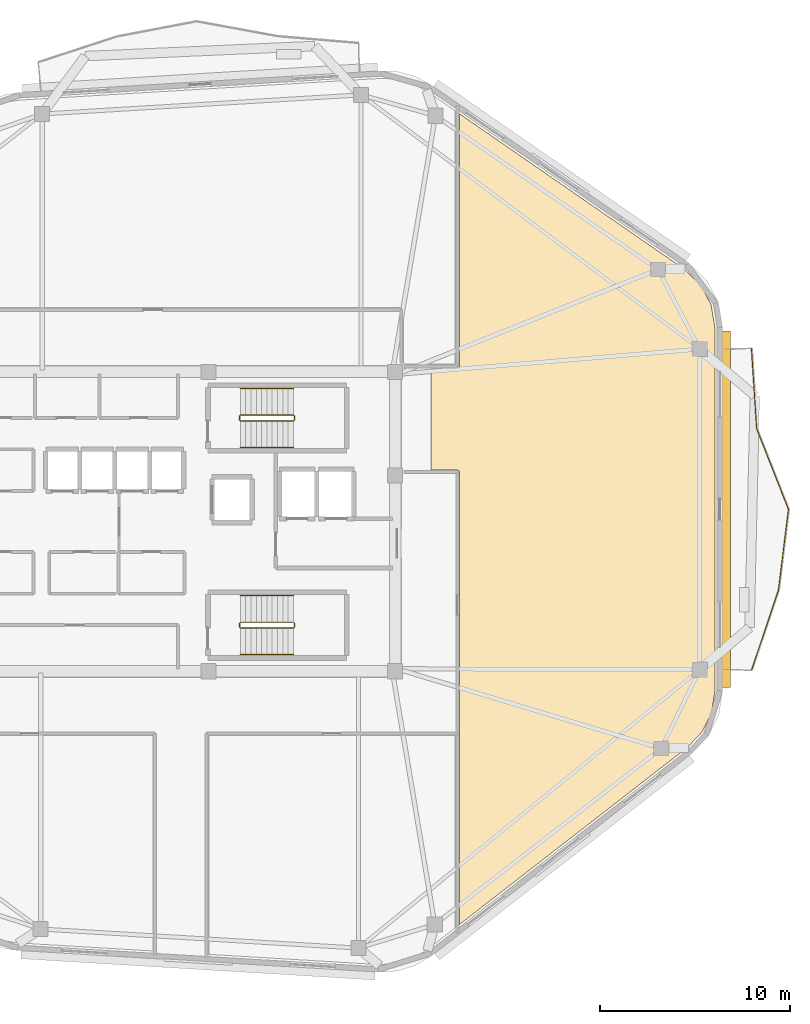
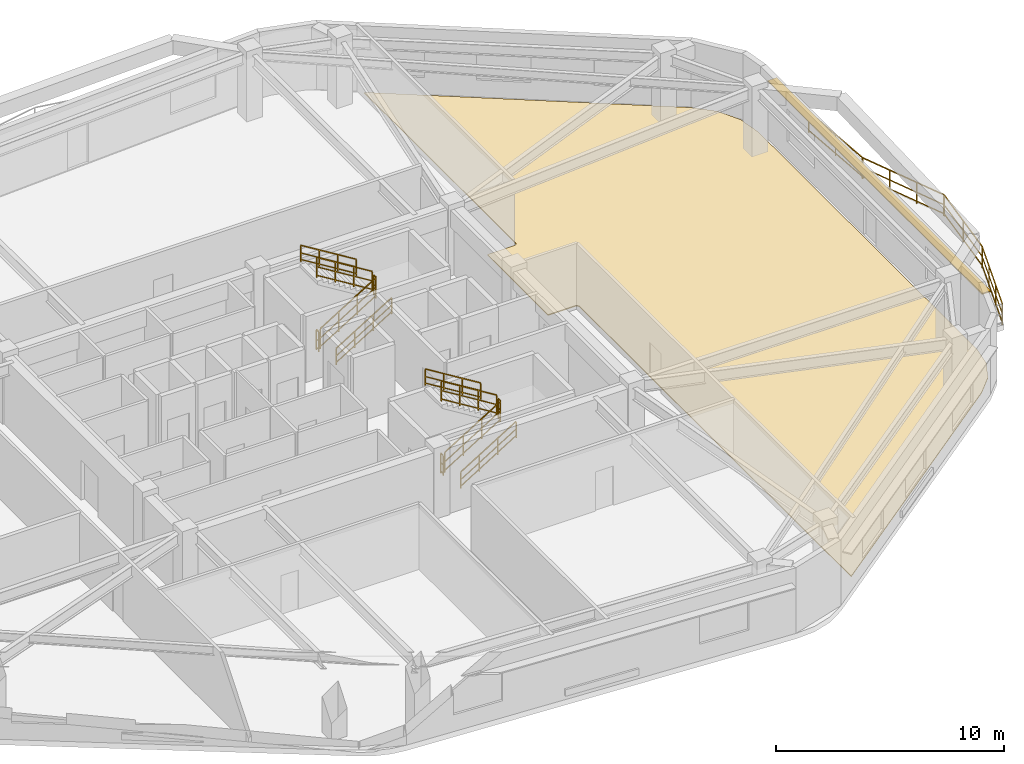
# One storey, part 8 of 9: 16 railings, 1 covering, 1 shading device.
"""IFC4 building model written with IfcOpenShell, lengths in metres."""

import ifcopenshell
import ifcopenshell.guid

model = None  # the IFC model being written
_history = None  # IfcOwnerHistory: only IFC2X3 demands one
_inside = {}  # id of a spatial element -> (the spatial element, [elements in it])
_under = {}  # id of a project, library or spatial element -> (it, [spatial elements below it])
_declared = {}  # id of a project -> (the project, [libraries it declares])
_typed = {}  # id of a type object -> (the type object, [elements of that type])
_made_of = {}  # id of a material, layer set ... -> (it, [elements and type objects made of it])


def new_model(schema):
    """Start an empty IFC model of exactly this schema.

    Asked for "IFC4X3", IfcOpenShell would pick the latest addendum, in which some entities
    have other attributes; the version numbers below select the first issue.
    IFC2X3 requires an IfcOwnerHistory on every rooted entity: one is made here for all.
    """
    global model, _history
    if schema == "IFC4X3":
        model = ifcopenshell.file(schema_version=(4, 3, 0, 0))
    else:
        model = ifcopenshell.file(schema=schema)
    _inside.clear()
    _under.clear()
    _declared.clear()
    _typed.clear()
    _made_of.clear()
    _history = None
    if model.schema == "IFC2X3":
        org = make("IfcOrganization", Name="unknown")
        user = make(
            "IfcPersonAndOrganization",
            ThePerson=make("IfcPerson", FamilyName="unknown"),
            TheOrganization=org,
        )
        app = make(
            "IfcApplication",
            ApplicationDeveloper=org,
            Version="unknown",
            ApplicationFullName="unknown",
            ApplicationIdentifier="unknown",
        )
        _history = make(
            "IfcOwnerHistory",
            OwningUser=user,
            OwningApplication=app,
            ChangeAction="ADDED",
            CreationDate=0,
        )
    return model


def make(cls, **values):
    """One entity of the class cls with the attributes given. An attribute that is None is left unset."""
    return model.create_entity(
        cls, **{name: value for name, value in values.items() if value is not None}
    )


def rooted(cls, **values):
    """An entity with a GlobalId (a new one), such as an element, a storey or a relation."""
    return make(cls, GlobalId=ifcopenshell.guid.new(), OwnerHistory=_history, **values)


def si_unit(unit_type, name, prefix=None):
    """IfcSIUnit, for example si_unit("LENGTHUNIT", "METRE", prefix="MILLI")."""
    return make("IfcSIUnit", UnitType=unit_type, Prefix=prefix, Name=name)


def assignment(units):
    """IfcUnitAssignment: the units of a project."""
    return None if units is None else make("IfcUnitAssignment", Units=units)


def point(xyz):
    """IfcCartesianPoint."""
    return None if xyz is None else make("IfcCartesianPoint", Coordinates=xyz)


def direction(xyz):
    """IfcDirection."""
    return None if xyz is None else make("IfcDirection", DirectionRatios=xyz)


def frame(location, z_axis=None, x_axis=None):
    """IfcAxis2Placement3D, a coordinate frame: its origin and axes. An axis left out is left unset."""
    return make(
        "IfcAxis2Placement3D",
        Location=point(location),
        Axis=direction(z_axis),
        RefDirection=direction(x_axis),
    )


def frame_2d(location, x_axis=None):
    """IfcAxis2Placement2D, a coordinate frame in the plane: its origin and x axis."""
    return make(
        "IfcAxis2Placement2D", Location=point(location), RefDirection=direction(x_axis)
    )


def origin():
    """The frame at (0, 0, 0) with its axes left unset."""
    return frame((0.0, 0.0, 0.0))


def origin_2d():
    """The frame at (0, 0) in the plane with its x axis left unset."""
    return frame_2d((0.0, 0.0))


def place(relative_to, where):
    """IfcLocalPlacement: puts the frame where relative to a parent placement (None: the world)."""
    return make(
        "IfcLocalPlacement", PlacementRelTo=relative_to, RelativePlacement=where
    )


def context(
    kind, dimensions, precision=None, world=None, true_north=None, identifier=None
):
    """IfcGeometricRepresentationContext, for example the 3D "Model" context."""
    return make(
        "IfcGeometricRepresentationContext",
        ContextIdentifier=identifier,
        ContextType=kind,
        CoordinateSpaceDimension=dimensions,
        Precision=precision,
        WorldCoordinateSystem=world,
        TrueNorth=true_north,
    )


def subcontext(parent, identifier, kind, view, scale=None):
    """IfcGeometricRepresentationSubContext, for example "Body" below "Model"."""
    return make(
        "IfcGeometricRepresentationSubContext",
        ContextIdentifier=identifier,
        ContextType=kind,
        ParentContext=parent,
        TargetScale=scale,
        TargetView=view,
    )


def project(units=None, contexts=None):
    """IfcProject with its units and contexts."""
    return rooted(
        "IfcProject",
        Name="project",
        RepresentationContexts=contexts,
        UnitsInContext=assignment(units),
    )


def spatial(cls, under=None, at=None, **own):
    """A site, building, storey or space (cls), placed at a placement, below another one or the project."""
    s = rooted(cls, ObjectPlacement=at, **own)
    if under is not None:
        _under.setdefault(under.id(), (under, []))[1].append(s)
    return s


def polyline(points):
    """IfcPolyline through the points."""
    return make("IfcPolyline", Points=[point(p) for p in points])


def profile(cls, at=None, kind="AREA", **sizes):
    """A parametric profile (cls). Its sizes go by their IFC names, for example OverallWidth=200.0."""
    return make(cls, ProfileType=kind, Position=at, **sizes)


def rectangle(**sizes):
    """IfcRectangleProfileDef."""
    return profile("IfcRectangleProfileDef", **sizes)


def outline(outer, holes=None, kind="AREA"):
    """IfcArbitraryClosedProfileDef: a profile drawn as a closed curve; with holes, ...WithVoids."""
    if holes is None:
        return make("IfcArbitraryClosedProfileDef", ProfileType=kind, OuterCurve=outer)
    return make(
        "IfcArbitraryProfileDefWithVoids",
        ProfileType=kind,
        OuterCurve=outer,
        InnerCurves=holes,
    )


def extrude(swept, where, along, depth):
    """IfcExtrudedAreaSolid: the profile swept, set in the frame where, extruded along a direction by depth."""
    return make(
        "IfcExtrudedAreaSolid",
        SweptArea=swept,
        Position=where,
        ExtrudedDirection=direction(along),
        Depth=depth,
    )


def shape(context_of_items, identifier, shape_type, items):
    """IfcShapeRepresentation: the items that make up one representation, for example the "Body"."""
    return make(
        "IfcShapeRepresentation",
        ContextOfItems=context_of_items,
        RepresentationIdentifier=identifier,
        RepresentationType=shape_type,
        Items=items,
    )


def material(Name=None, Category=None):
    """IfcMaterial."""
    return make("IfcMaterial", Name=Name, Category=Category)


def layer(
    of_material, thickness, ventilated=None, Name=None, Category=None, Priority=None
):
    """IfcMaterialLayer: one layer of a wall or slab, of a material (None: an air gap)."""
    return make(
        "IfcMaterialLayer",
        Material=of_material,
        LayerThickness=thickness,
        IsVentilated=ventilated,
        Name=Name,
        Category=Category,
        Priority=Priority,
    )


def layer_set(layers, Name=None):
    """IfcMaterialLayerSet."""
    return make("IfcMaterialLayerSet", MaterialLayers=layers, LayerSetName=Name)


def made_of(thing, what):
    """Note that an element or type object is made of a material, layer set ...; save() writes the relation."""
    if what is not None:
        _made_of.setdefault(what.id(), (what, []))[1].append(thing)
    return thing


def type_object(cls, material=None, **own):
    """A type object (cls), such as IfcWallType, which elements share."""
    return made_of(rooted(cls, **own), material)


def element(
    cls,
    number,
    at=None,
    inside=None,
    cuts=None,
    type_object=None,
    material=None,
    context=None,
    identifier="Body",
    shape_type=None,
    held_by="IfcProductDefinitionShape",
    body=None,
    shapes=None,
    **own,
):
    """One element of the class cls, such as IfcWall. Its Tag is "e" and its number.

    at: its placement. inside: the storey or other place that contains it. cuts: it is an
    opening in that element (IfcRelVoidsElement). A single representation is given by context,
    identifier, shape_type and body (its items); several are given by shapes. held_by: the class
    of the entity that holds the representations. save() writes the other relations.
    """
    e = rooted(cls, Tag="e%d" % number, ObjectPlacement=at, **own)
    if body is not None:
        shapes = [shape(context, identifier, shape_type, body)]
    if shapes is not None:
        e.Representation = make(held_by, Representations=shapes)
    if inside is not None:
        _inside.setdefault(inside.id(), (inside, []))[1].append(e)
    if cuts is not None:
        rooted(
            "IfcRelVoidsElement", RelatingBuildingElement=cuts, RelatedOpeningElement=e
        )
    if type_object is not None:
        _typed.setdefault(type_object.id(), (type_object, []))[1].append(e)
    return made_of(e, material)


def aggregate(whole, parts):
    """IfcRelAggregates: a whole, such as a stair, and the parts it consists of."""
    return rooted("IfcRelAggregates", RelatingObject=whole, RelatedObjects=parts)


def save(model, path):
    """Write the relations noted so far, then the file.

    IfcRelAggregates (storeys below a building ...), IfcRelContainedInSpatialStructure (elements
    in a storey), IfcRelDefinesByType, IfcRelAssociatesMaterial and IfcRelDeclares: one each for
    every whole, place, type object, material and project.
    """
    for whole, parts in _under.values():
        aggregate(whole, parts)
    for where, things in _inside.values():
        rooted(
            "IfcRelContainedInSpatialStructure",
            RelatedElements=things,
            RelatingStructure=where,
        )
    for kind, things in _typed.values():
        rooted("IfcRelDefinesByType", RelatedObjects=things, RelatingType=kind)
    for what, things in _made_of.values():
        rooted("IfcRelAssociatesMaterial", RelatedObjects=things, RelatingMaterial=what)
    for by, libraries in _declared.values():
        rooted("IfcRelDeclares", RelatingContext=by, RelatedDefinitions=libraries)
    model.write(path)


model = new_model("IFC4")

# Units and contexts
model_context = context("Model", 3, precision=1e-05, world=origin(), true_north=direction((0.0, 1.0)))
body_context = subcontext(model_context, "Body", "Model", "MODEL_VIEW")
ifc_project = project(units=[si_unit("LENGTHUNIT", "METRE"), si_unit("AREAUNIT", "SQUARE_METRE"), si_unit("VOLUMEUNIT", "CUBIC_METRE"), si_unit("PLANEANGLEUNIT", "RADIAN"), si_unit("MASSUNIT", "GRAM", prefix="KILO")], contexts=[model_context])

# Site, building, storey
site_placement = place(None, origin())
site = spatial("IfcSite", under=ifc_project, at=site_placement, CompositionType="ELEMENT")
building_placement = place(site_placement, origin())
building = spatial("IfcBuilding", under=site, at=building_placement, Name="Zulverin Broadcast Headquarters", CompositionType="ELEMENT")
storey_placement = place(building_placement, frame((0.0, 0.0, 251.60009765625)))
storey = spatial("IfcBuildingStorey", under=building, at=storey_placement, Name="L64", CompositionType="ELEMENT", Elevation=251.60009765625)

# Covering
ifc_material_1 = material(Name="Anti-static broadcast raised access flooring", Category="stone")
ifc_layer_1 = layer(ifc_material_1, 0.050048828125, Name="Anti-static broadcast raised access flooring", Category="stone")
ifc_layer_set_1 = layer_set([ifc_layer_1], Name="Anti-static broadcast raised access flooring")
covering_type = type_object("IfcCoveringType", Name="COV-FLR-RAISED", PredefinedType="FLOORING", material=ifc_layer_set_1)
covering_placement = place(storey_placement, origin())
element("IfcCovering", 1, at=covering_placement, inside=storey, type_object=covering_type, Name="L64 Broadcast Raised Access Flooring 02", PredefinedType="FLOORING", context=body_context, shape_type="SweptSolid", body=[
    extrude(outline(polyline([(51.60400390625, 33.260009765625), (51.592041015625, 33.251953125), (51.583984375, 33.248046875), (51.575927734375, 33.243896484375), (51.568115234375, 33.239990234375), (51.555908203125, 33.236083984375), (51.548095703125, 33.236083984375), (51.535888671875, 33.23193359375), (51.52392578125, 33.23193359375), (50.156005859375, 33.23193359375), (50.156005859375, 27.919921875), (51.52001953125, 27.919921875), (51.531982421875, 27.919921875), (51.5439453125, 27.916015625), (51.552001953125, 27.916015625), (51.56396484375, 27.912109375), (51.572021484375, 27.907958984375), (51.580078125, 27.904052734375), (51.587890625, 27.89990234375), (51.60009765625, 27.89208984375), (51.60791015625, 27.887939453125), (51.615966796875, 27.8798828125), (51.6240234375, 27.8720703125), (51.632080078125, 27.864013671875), (51.635986328125, 27.85595703125), (51.64794921875, 27.843994140625), (51.652099609375, 27.83203125), (51.659912109375, 27.820068359375), (51.6640625, 27.81201171875), (51.6640625, 27.800048828125), (51.66796875, 27.7919921875), (51.66796875, 27.783935546875), (51.672119140625, 27.77197265625), (51.672119140625, 27.760009765625), (51.672119140625, 4.008056640625), (63.64794921875, 13.31591796875), (64.43603515625, 14.14794921875), (64.927978515625, 15.152099609375), (65.10009765625, 16.2880859375), (65.10009765625, 35.39599609375), (64.904052734375, 36.592041015625), (64.35595703125, 37.64404296875), (63.47607421875, 38.488037109375), (51.66796875, 46.64794921875), (51.672119140625, 33.39208984375), (51.672119140625, 33.3798828125), (51.66796875, 33.367919921875), (51.66796875, 33.360107421875), (51.6640625, 33.35205078125), (51.6640625, 33.343994140625), (51.659912109375, 33.33203125), (51.656005859375, 33.323974609375), (51.652099609375, 33.31591796875), (51.64794921875, 33.30810546875), (51.639892578125, 33.2958984375), (51.635986328125, 33.2880859375), (51.6279296875, 33.280029296875), (51.6201171875, 33.27197265625), (51.612060546875, 33.263916015625), (51.60400390625, 33.260009765625)])), origin(), (0.0, 0.0, 1.0), 0.0498046875),
])

# Railings
ifc_material_2 = material(Name="Brushed stainless steel & laminated glass balustrade", Category="steel")
railing_type_1 = type_object("IfcRailingType", Name="RL-GUARD-1150", PredefinedType="GUARDRAIL", material=ifc_material_2)
railing_1_placement = place(storey_placement, frame((67.02490234375, 17.371826171875, 0.0)))
element("IfcRailing", 2, at=railing_1_placement, inside=storey, type_object=railing_type_1, Name="L64 Vertical-Forest Balcony Guardrail BAL_E Segment 02", PredefinedType="GUARDRAIL", context=body_context, shape_type="SweptSolid", body=[
    extrude(rectangle(XDim=0.048095703125, YDim=0.048095703125, at=origin_2d()), frame((0.0, 0.0, 1.1259765625), z_axis=(0.318204528211, 0.948022087415, 0.0), x_axis=(-0.948022087415, 0.318204528211, 0.0)), (0.0, 0.0, 1.0), 4.444580078125),
    extrude(rectangle(XDim=0.0419921875, YDim=0.0419921875, at=origin_2d()), frame((0.0, 0.0, 0.597900390625), z_axis=(0.318204528211, 0.948022087415, 0.0), x_axis=(-0.948022087415, 0.318204528211, 0.0)), (0.0, 0.0, 1.0), 4.444580078125),
    extrude(rectangle(XDim=0.0419921875, YDim=0.0419921875, at=origin_2d()), frame((0.0, 0.0, 0.1201171875), z_axis=(0.318204528211, 0.948022087415, 0.0), x_axis=(-0.948022087415, 0.318204528211, 0.0)), (0.0, 0.0, 1.0), 4.444580078125),
    extrude(rectangle(XDim=0.0419921875, YDim=0.0419921875, at=origin_2d()), origin(), (0.0, 0.0, 1.0), 1.101806640625),
    extrude(rectangle(XDim=0.0419921875, YDim=0.0419921875, at=origin_2d()), frame((0.471435546875, 1.404541015625, 0.0)), (0.0, 0.0, 1.0), 1.101806640625),
    extrude(rectangle(XDim=0.0419921875, YDim=0.0419921875, at=origin_2d()), frame((0.94287109375, 2.80908203125, 0.0)), (0.0, 0.0, 1.0), 1.101806640625),
    extrude(rectangle(XDim=0.0419921875, YDim=0.0419921875, at=origin_2d()), frame((1.414306640625, 4.213623046875, 0.0)), (0.0, 0.0, 1.0), 1.101806640625),
])
railing_2_placement = place(storey_placement, frame((68.44580078125, 21.614501953125, 0.0)))
element("IfcRailing", 3, at=railing_2_placement, inside=storey, type_object=railing_type_1, Name="L64 Vertical-Forest Balcony Guardrail BAL_E Segment 03", PredefinedType="GUARDRAIL", context=body_context, shape_type="SweptSolid", body=[
    extrude(rectangle(XDim=0.048095703125, YDim=0.048095703125, at=origin_2d()), frame((0.0, 0.0, 1.1259765625), z_axis=(0.123086092071, 0.992395996535, 0.0), x_axis=(-0.992395996535, 0.123086092071, 0.0)), (0.0, 0.0, 1.0), 4.24462890625),
    extrude(rectangle(XDim=0.0419921875, YDim=0.0419921875, at=origin_2d()), frame((0.0, 0.0, 0.597900390625), z_axis=(0.123086092071, 0.992395996535, 0.0), x_axis=(-0.992395996535, 0.123086092071, 0.0)), (0.0, 0.0, 1.0), 4.24462890625),
    extrude(rectangle(XDim=0.0419921875, YDim=0.0419921875, at=origin_2d()), frame((0.0, 0.0, 0.1201171875), z_axis=(0.123086092071, 0.992395996535, 0.0), x_axis=(-0.992395996535, 0.123086092071, 0.0)), (0.0, 0.0, 1.0), 4.24462890625),
    extrude(rectangle(XDim=0.0419921875, YDim=0.0419921875, at=origin_2d()), origin(), (0.0, 0.0, 1.0), 1.101806640625),
    extrude(rectangle(XDim=0.0419921875, YDim=0.0419921875, at=origin_2d()), frame((0.26123046875, 2.106201171875, 0.0)), (0.0, 0.0, 1.0), 1.101806640625),
    extrude(rectangle(XDim=0.0419921875, YDim=0.0419921875, at=origin_2d()), frame((0.5224609375, 4.21240234375, 0.0)), (0.0, 0.0, 1.0), 1.101806640625),
])
railing_3_placement = place(storey_placement, frame((68.964599609375, 25.855712890625, 0.0)))
element("IfcRailing", 4, at=railing_3_placement, inside=storey, type_object=railing_type_1, Name="L64 Vertical-Forest Balcony Guardrail BAL_E Segment 04", PredefinedType="GUARDRAIL", context=body_context, shape_type="SweptSolid", body=[
    extrude(rectangle(XDim=0.048095703125, YDim=0.048095703125, at=origin_2d()), frame((0.0, 0.0, 1.1259765625), z_axis=(-0.36683272189, 0.930286920337, 0.0), x_axis=(-0.930286920337, -0.36683272189, 0.0)), (0.0, 0.0, 1.0), 4.529541015625),
    extrude(rectangle(XDim=0.0419921875, YDim=0.0419921875, at=origin_2d()), frame((0.0, 0.0, 0.597900390625), z_axis=(-0.36683272189, 0.930286920337, 0.0), x_axis=(-0.930286920337, -0.36683272189, 0.0)), (0.0, 0.0, 1.0), 4.529541015625),
    extrude(rectangle(XDim=0.0419921875, YDim=0.0419921875, at=origin_2d()), frame((0.0, 0.0, 0.1201171875), z_axis=(-0.36683272189, 0.930286920337, 0.0), x_axis=(-0.930286920337, -0.36683272189, 0.0)), (0.0, 0.0, 1.0), 4.529541015625),
    extrude(rectangle(XDim=0.0419921875, YDim=0.0419921875, at=origin_2d()), origin(), (0.0, 0.0, 1.0), 1.101806640625),
    extrude(rectangle(XDim=0.0419921875, YDim=0.0419921875, at=origin_2d()), frame((-0.553955078125, 1.404541015625, 0.0)), (0.0, 0.0, 1.0), 1.101806640625),
    extrude(rectangle(XDim=0.0419921875, YDim=0.0419921875, at=origin_2d()), frame((-1.107666015625, 2.809326171875, 0.0)), (0.0, 0.0, 1.0), 1.101806640625),
    extrude(rectangle(XDim=0.0419921875, YDim=0.0419921875, at=origin_2d()), frame((-1.66162109375, 4.2138671875, 0.0)), (0.0, 0.0, 1.0), 1.101806640625),
])
railing_4_placement = place(storey_placement, frame((67.29638671875, 30.0986328125, 0.0)))
element("IfcRailing", 5, at=railing_4_placement, inside=storey, type_object=railing_type_1, Name="L64 Vertical-Forest Balcony Guardrail BAL_E Segment 05", PredefinedType="GUARDRAIL", context=body_context, shape_type="SweptSolid", body=[
    extrude(rectangle(XDim=0.048095703125, YDim=0.048095703125, at=origin_2d()), frame((0.0, 0.0, 1.1259765625), z_axis=(-0.065240645877, 0.997869559675, 0.0), x_axis=(-0.997869559675, -0.065240645877, 0.0)), (0.0, 0.0, 1.0), 4.22119140625),
    extrude(rectangle(XDim=0.0419921875, YDim=0.0419921875, at=origin_2d()), frame((0.0, 0.0, 0.597900390625), z_axis=(-0.065240645877, 0.997869559675, 0.0), x_axis=(-0.997869559675, -0.065240645877, 0.0)), (0.0, 0.0, 1.0), 4.22119140625),
    extrude(rectangle(XDim=0.0419921875, YDim=0.0419921875, at=origin_2d()), frame((0.0, 0.0, 0.1201171875), z_axis=(-0.065240645877, 0.997869559675, 0.0), x_axis=(-0.997869559675, -0.065240645877, 0.0)), (0.0, 0.0, 1.0), 4.22119140625),
    extrude(rectangle(XDim=0.0419921875, YDim=0.0419921875, at=origin_2d()), origin(), (0.0, 0.0, 1.0), 1.101806640625),
    extrude(rectangle(XDim=0.0419921875, YDim=0.0419921875, at=origin_2d()), frame((-0.1376953125, 2.10595703125, 0.0)), (0.0, 0.0, 1.0), 1.101806640625),
    extrude(rectangle(XDim=0.0419921875, YDim=0.0419921875, at=origin_2d()), frame((-0.275390625, 4.212158203125, 0.0)), (0.0, 0.0, 1.0), 1.101806640625),
])
ifc_material_3 = material(Name="Painted galvanized steel tubular guardrail S355JR", Category="steel")
railing_type_2 = type_object("IfcRailingType", Name="RL-ST-GUARD", PredefinedType="GUARDRAIL", material=ifc_material_3)
railing_5_placement = place(storey_placement, frame((40.1298828125, 30.5, 0.172607421875)))
element("IfcRailing", 6, at=railing_5_placement, inside=storey, type_object=railing_type_2, Name="L64 ST-1 stair guard 1", PredefinedType="GUARDRAIL", context=body_context, shape_type="SweptSolid", body=[
    extrude(rectangle(XDim=0.048095703125, YDim=0.048095703125, at=origin_2d()), frame((0.0, 0.0, 1.076171875), z_axis=(0.851089632645, 0.0, 0.525020415988), x_axis=(0.0, 1.0, 0.0)), (0.0, 0.0, 1.0), 3.2900390625),
    extrude(rectangle(XDim=0.0419921875, YDim=0.0419921875, at=origin_2d()), frame((0.0, 0.0, 0.572021484375), z_axis=(0.851089632645, 0.0, 0.525020415988), x_axis=(0.0, 1.0, 0.0)), (0.0, 0.0, 1.0), 3.2900390625),
    extrude(rectangle(XDim=0.0419921875, YDim=0.0419921875, at=origin_2d()), frame((0.0, 0.0, 0.1201171875), z_axis=(0.851089632645, 0.0, 0.525020415988), x_axis=(0.0, 1.0, 0.0)), (0.0, 0.0, 1.0), 3.2900390625),
    extrude(rectangle(XDim=0.0419921875, YDim=0.0419921875, at=origin_2d()), origin(), (0.0, 0.0, 1.0), 1.052001953125),
    extrude(rectangle(XDim=0.0419921875, YDim=0.0419921875, at=origin_2d()), frame((0.933349609375, 0.0, 0.57568359375)), (0.0, 0.0, 1.0), 1.052001953125),
    extrude(rectangle(XDim=0.0419921875, YDim=0.0419921875, at=origin_2d()), frame((1.86669921875, 0.0, 1.151611328125)), (0.0, 0.0, 1.0), 1.052001953125),
    extrude(rectangle(XDim=0.0419921875, YDim=0.0419921875, at=origin_2d()), frame((2.800048828125, 0.0, 1.727294921875)), (0.0, 0.0, 1.0), 1.052001953125),
])
railing_6_placement = place(storey_placement, frame((42.97998046875, 30.550048828125, 1.89990234375)))
element("IfcRailing", 7, at=railing_6_placement, inside=storey, type_object=railing_type_2, Name="L64 ST-1 stair guard 2", PredefinedType="GUARDRAIL", context=body_context, shape_type="SweptSolid", body=[
    extrude(rectangle(XDim=0.048095703125, YDim=0.048095703125, at=origin_2d()), frame((0.0, 0.0, 1.076171875), z_axis=(0.0, 1.0, 0.0), x_axis=(-1.0, 0.0, 0.0)), (0.0, 0.0, 1.0), 0.199951171875),
    extrude(rectangle(XDim=0.0419921875, YDim=0.0419921875, at=origin_2d()), frame((0.0, 0.0, 0.572021484375), z_axis=(0.0, 1.0, 0.0), x_axis=(-1.0, 0.0, 0.0)), (0.0, 0.0, 1.0), 0.199951171875),
    extrude(rectangle(XDim=0.0419921875, YDim=0.0419921875, at=origin_2d()), frame((0.0, 0.0, 0.1201171875), z_axis=(0.0, 1.0, 0.0), x_axis=(-1.0, 0.0, 0.0)), (0.0, 0.0, 1.0), 0.199951171875),
    extrude(rectangle(XDim=0.0419921875, YDim=0.0419921875, at=origin_2d()), origin(), (0.0, 0.0, 1.0), 1.052001953125),
    extrude(rectangle(XDim=0.0419921875, YDim=0.0419921875, at=origin_2d()), frame((0.0, 0.199951171875, 0.0)), (0.0, 0.0, 1.0), 1.052001953125),
])
railing_7_placement = place(storey_placement, frame((42.929931640625, 30.800048828125, 2.072509765625)))
element("IfcRailing", 8, at=railing_7_placement, inside=storey, type_object=railing_type_2, Name="L64 ST-1 stair guard 3", PredefinedType="GUARDRAIL", context=body_context, shape_type="SweptSolid", body=[
    extrude(rectangle(XDim=0.048095703125, YDim=0.048095703125, at=origin_2d()), frame((0.0, 0.0, 1.076171875), z_axis=(-0.851089632645, 0.0, 0.525020415988), x_axis=(0.0, -1.0, 0.0)), (0.0, 0.0, 1.0), 3.2900390625),
    extrude(rectangle(XDim=0.0419921875, YDim=0.0419921875, at=origin_2d()), frame((0.0, 0.0, 0.572021484375), z_axis=(-0.851089632645, 0.0, 0.525020415988), x_axis=(0.0, -1.0, 0.0)), (0.0, 0.0, 1.0), 3.2900390625),
    extrude(rectangle(XDim=0.0419921875, YDim=0.0419921875, at=origin_2d()), frame((0.0, 0.0, 0.1201171875), z_axis=(-0.851089632645, 0.0, 0.525020415988), x_axis=(0.0, -1.0, 0.0)), (0.0, 0.0, 1.0), 3.2900390625),
    extrude(rectangle(XDim=0.0419921875, YDim=0.0419921875, at=origin_2d()), origin(), (0.0, 0.0, 1.0), 1.052001953125),
    extrude(rectangle(XDim=0.0419921875, YDim=0.0419921875, at=origin_2d()), frame((-0.933349609375, 0.0, 0.57568359375)), (0.0, 0.0, 1.0), 1.052001953125),
    extrude(rectangle(XDim=0.0419921875, YDim=0.0419921875, at=origin_2d()), frame((-1.86669921875, 0.0, 1.151611328125)), (0.0, 0.0, 1.0), 1.052001953125),
    extrude(rectangle(XDim=0.0419921875, YDim=0.0419921875, at=origin_2d()), frame((-2.800048828125, 0.0, 1.727294921875)), (0.0, 0.0, 1.0), 1.052001953125),
])
railing_8_placement = place(storey_placement, frame((40.080078125, 30.550048828125, 0.0)))
element("IfcRailing", 9, at=railing_8_placement, inside=storey, type_object=railing_type_2, Name="L64 ST-1 stair guard 4", PredefinedType="GUARDRAIL", context=body_context, shape_type="SweptSolid", body=[
    extrude(rectangle(XDim=0.048095703125, YDim=0.048095703125, at=origin_2d()), frame((0.0, 0.0, 1.076171875), z_axis=(0.0, 1.0, 0.0), x_axis=(-1.0, 0.0, 0.0)), (0.0, 0.0, 1.0), 0.199951171875),
    extrude(rectangle(XDim=0.0419921875, YDim=0.0419921875, at=origin_2d()), frame((0.0, 0.0, 0.572021484375), z_axis=(0.0, 1.0, 0.0), x_axis=(-1.0, 0.0, 0.0)), (0.0, 0.0, 1.0), 0.199951171875),
    extrude(rectangle(XDim=0.0419921875, YDim=0.0419921875, at=origin_2d()), frame((0.0, 0.0, 0.1201171875), z_axis=(0.0, 1.0, 0.0), x_axis=(-1.0, 0.0, 0.0)), (0.0, 0.0, 1.0), 0.199951171875),
    extrude(rectangle(XDim=0.0419921875, YDim=0.0419921875, at=origin_2d()), origin(), (0.0, 0.0, 1.0), 1.052001953125),
    extrude(rectangle(XDim=0.0419921875, YDim=0.0419921875, at=origin_2d()), frame((0.0, 0.199951171875, 0.0)), (0.0, 0.0, 1.0), 1.052001953125),
])
railing_9_placement = place(storey_placement, frame((40.1298828125, 19.60009765625, 0.172607421875)))
element("IfcRailing", 10, at=railing_9_placement, inside=storey, type_object=railing_type_2, Name="L64 ST-2 stair guard 1", PredefinedType="GUARDRAIL", context=body_context, shape_type="SweptSolid", body=[
    extrude(rectangle(XDim=0.048095703125, YDim=0.048095703125, at=origin_2d()), frame((0.0, 0.0, 1.076171875), z_axis=(0.851089632645, 0.0, 0.525020415988), x_axis=(0.0, 1.0, 0.0)), (0.0, 0.0, 1.0), 3.2900390625),
    extrude(rectangle(XDim=0.0419921875, YDim=0.0419921875, at=origin_2d()), frame((0.0, 0.0, 0.572021484375), z_axis=(0.851089632645, 0.0, 0.525020415988), x_axis=(0.0, 1.0, 0.0)), (0.0, 0.0, 1.0), 3.2900390625),
    extrude(rectangle(XDim=0.0419921875, YDim=0.0419921875, at=origin_2d()), frame((0.0, 0.0, 0.1201171875), z_axis=(0.851089632645, 0.0, 0.525020415988), x_axis=(0.0, 1.0, 0.0)), (0.0, 0.0, 1.0), 3.2900390625),
    extrude(rectangle(XDim=0.0419921875, YDim=0.0419921875, at=origin_2d()), origin(), (0.0, 0.0, 1.0), 1.052001953125),
    extrude(rectangle(XDim=0.0419921875, YDim=0.0419921875, at=origin_2d()), frame((0.933349609375, 0.0, 0.57568359375)), (0.0, 0.0, 1.0), 1.052001953125),
    extrude(rectangle(XDim=0.0419921875, YDim=0.0419921875, at=origin_2d()), frame((1.86669921875, 0.0, 1.151611328125)), (0.0, 0.0, 1.0), 1.052001953125),
    extrude(rectangle(XDim=0.0419921875, YDim=0.0419921875, at=origin_2d()), frame((2.800048828125, 0.0, 1.727294921875)), (0.0, 0.0, 1.0), 1.052001953125),
])
railing_10_placement = place(storey_placement, frame((42.97998046875, 19.64990234375, 1.89990234375)))
element("IfcRailing", 11, at=railing_10_placement, inside=storey, type_object=railing_type_2, Name="L64 ST-2 stair guard 2", PredefinedType="GUARDRAIL", context=body_context, shape_type="SweptSolid", body=[
    extrude(rectangle(XDim=0.048095703125, YDim=0.048095703125, at=origin_2d()), frame((0.0, 0.0, 1.076171875), z_axis=(0.0, 1.0, 0.0), x_axis=(-1.0, 0.0, 0.0)), (0.0, 0.0, 1.0), 0.2001953125),
    extrude(rectangle(XDim=0.0419921875, YDim=0.0419921875, at=origin_2d()), frame((0.0, 0.0, 0.572021484375), z_axis=(0.0, 1.0, 0.0), x_axis=(-1.0, 0.0, 0.0)), (0.0, 0.0, 1.0), 0.2001953125),
    extrude(rectangle(XDim=0.0419921875, YDim=0.0419921875, at=origin_2d()), frame((0.0, 0.0, 0.1201171875), z_axis=(0.0, 1.0, 0.0), x_axis=(-1.0, 0.0, 0.0)), (0.0, 0.0, 1.0), 0.2001953125),
    extrude(rectangle(XDim=0.0419921875, YDim=0.0419921875, at=origin_2d()), origin(), (0.0, 0.0, 1.0), 1.052001953125),
    extrude(rectangle(XDim=0.0419921875, YDim=0.0419921875, at=origin_2d()), frame((0.0, 0.2001953125, 0.0)), (0.0, 0.0, 1.0), 1.052001953125),
])
railing_11_placement = place(storey_placement, frame((42.929931640625, 19.89990234375, 2.072509765625)))
element("IfcRailing", 12, at=railing_11_placement, inside=storey, type_object=railing_type_2, Name="L64 ST-2 stair guard 3", PredefinedType="GUARDRAIL", context=body_context, shape_type="SweptSolid", body=[
    extrude(rectangle(XDim=0.048095703125, YDim=0.048095703125, at=origin_2d()), frame((0.0, 0.0, 1.076171875), z_axis=(-0.851089632645, 0.0, 0.525020415988), x_axis=(0.0, -1.0, 0.0)), (0.0, 0.0, 1.0), 3.2900390625),
    extrude(rectangle(XDim=0.0419921875, YDim=0.0419921875, at=origin_2d()), frame((0.0, 0.0, 0.572021484375), z_axis=(-0.851089632645, 0.0, 0.525020415988), x_axis=(0.0, -1.0, 0.0)), (0.0, 0.0, 1.0), 3.2900390625),
    extrude(rectangle(XDim=0.0419921875, YDim=0.0419921875, at=origin_2d()), frame((0.0, 0.0, 0.1201171875), z_axis=(-0.851089632645, 0.0, 0.525020415988), x_axis=(0.0, -1.0, 0.0)), (0.0, 0.0, 1.0), 3.2900390625),
    extrude(rectangle(XDim=0.0419921875, YDim=0.0419921875, at=origin_2d()), origin(), (0.0, 0.0, 1.0), 1.052001953125),
    extrude(rectangle(XDim=0.0419921875, YDim=0.0419921875, at=origin_2d()), frame((-0.933349609375, 0.0, 0.57568359375)), (0.0, 0.0, 1.0), 1.052001953125),
    extrude(rectangle(XDim=0.0419921875, YDim=0.0419921875, at=origin_2d()), frame((-1.86669921875, 0.0, 1.151611328125)), (0.0, 0.0, 1.0), 1.052001953125),
    extrude(rectangle(XDim=0.0419921875, YDim=0.0419921875, at=origin_2d()), frame((-2.800048828125, 0.0, 1.727294921875)), (0.0, 0.0, 1.0), 1.052001953125),
])
railing_12_placement = place(storey_placement, frame((40.080078125, 19.64990234375, 0.0)))
element("IfcRailing", 13, at=railing_12_placement, inside=storey, type_object=railing_type_2, Name="L64 ST-2 stair guard 4", PredefinedType="GUARDRAIL", context=body_context, shape_type="SweptSolid", body=[
    extrude(rectangle(XDim=0.048095703125, YDim=0.048095703125, at=origin_2d()), frame((0.0, 0.0, 1.076171875), z_axis=(0.0, 1.0, 0.0), x_axis=(-1.0, 0.0, 0.0)), (0.0, 0.0, 1.0), 0.2001953125),
    extrude(rectangle(XDim=0.0419921875, YDim=0.0419921875, at=origin_2d()), frame((0.0, 0.0, 0.572021484375), z_axis=(0.0, 1.0, 0.0), x_axis=(-1.0, 0.0, 0.0)), (0.0, 0.0, 1.0), 0.2001953125),
    extrude(rectangle(XDim=0.0419921875, YDim=0.0419921875, at=origin_2d()), frame((0.0, 0.0, 0.1201171875), z_axis=(0.0, 1.0, 0.0), x_axis=(-1.0, 0.0, 0.0)), (0.0, 0.0, 1.0), 0.2001953125),
    extrude(rectangle(XDim=0.0419921875, YDim=0.0419921875, at=origin_2d()), origin(), (0.0, 0.0, 1.0), 1.052001953125),
    extrude(rectangle(XDim=0.0419921875, YDim=0.0419921875, at=origin_2d()), frame((0.0, 0.2001953125, 0.0)), (0.0, 0.0, 1.0), 1.052001953125),
])
ifc_material_4 = material(Name="Brushed stainless steel 48 mm handrail", Category="steel")
railing_type_3 = type_object("IfcRailingType", Name="RL-ST-HAND", PredefinedType="HANDRAIL", material=ifc_material_4)
railing_13_placement = place(storey_placement, frame((40.1298828125, 29.10009765625, 0.172607421875)))
element("IfcRailing", 14, at=railing_13_placement, inside=storey, type_object=railing_type_3, Name="L64 ST-1 stair handrail 1", PredefinedType="HANDRAIL", context=body_context, shape_type="SweptSolid", body=[
    extrude(rectangle(XDim=0.048095703125, YDim=0.048095703125, at=origin_2d()), frame((0.0, 0.0, 0.8759765625), z_axis=(0.851089632645, 0.0, 0.525020415988), x_axis=(0.0, 1.0, 0.0)), (0.0, 0.0, 1.0), 3.2900390625),
    extrude(rectangle(XDim=0.0419921875, YDim=0.0419921875, at=origin_2d()), frame((0.0, 0.0, 0.468017578125), z_axis=(0.851089632645, 0.0, 0.525020415988), x_axis=(0.0, 1.0, 0.0)), (0.0, 0.0, 1.0), 3.2900390625),
    extrude(rectangle(XDim=0.0419921875, YDim=0.0419921875, at=origin_2d()), frame((0.0, 0.0, 0.1201171875), z_axis=(0.851089632645, 0.0, 0.525020415988), x_axis=(0.0, 1.0, 0.0)), (0.0, 0.0, 1.0), 3.2900390625),
    extrude(rectangle(XDim=0.0419921875, YDim=0.0419921875, at=origin_2d()), origin(), (0.0, 0.0, 1.0), 0.851806640625),
    extrude(rectangle(XDim=0.0419921875, YDim=0.0419921875, at=origin_2d()), frame((0.933349609375, 0.0, 0.57568359375)), (0.0, 0.0, 1.0), 0.851806640625),
    extrude(rectangle(XDim=0.0419921875, YDim=0.0419921875, at=origin_2d()), frame((1.86669921875, 0.0, 1.151611328125)), (0.0, 0.0, 1.0), 0.851806640625),
    extrude(rectangle(XDim=0.0419921875, YDim=0.0419921875, at=origin_2d()), frame((2.800048828125, 0.0, 1.727294921875)), (0.0, 0.0, 1.0), 0.851806640625),
])
railing_14_placement = place(storey_placement, frame((42.929931640625, 32.199951171875, 2.072509765625)))
element("IfcRailing", 15, at=railing_14_placement, inside=storey, type_object=railing_type_3, Name="L64 ST-1 stair handrail 2", PredefinedType="HANDRAIL", context=body_context, shape_type="SweptSolid", body=[
    extrude(rectangle(XDim=0.048095703125, YDim=0.048095703125, at=origin_2d()), frame((0.0, 0.0, 0.8759765625), z_axis=(-0.851089632645, 0.0, 0.525020415988), x_axis=(0.0, -1.0, 0.0)), (0.0, 0.0, 1.0), 3.2900390625),
    extrude(rectangle(XDim=0.0419921875, YDim=0.0419921875, at=origin_2d()), frame((0.0, 0.0, 0.468017578125), z_axis=(-0.851089632645, 0.0, 0.525020415988), x_axis=(0.0, -1.0, 0.0)), (0.0, 0.0, 1.0), 3.2900390625),
    extrude(rectangle(XDim=0.0419921875, YDim=0.0419921875, at=origin_2d()), frame((0.0, 0.0, 0.1201171875), z_axis=(-0.851089632645, 0.0, 0.525020415988), x_axis=(0.0, -1.0, 0.0)), (0.0, 0.0, 1.0), 3.2900390625),
    extrude(rectangle(XDim=0.0419921875, YDim=0.0419921875, at=origin_2d()), origin(), (0.0, 0.0, 1.0), 0.851806640625),
    extrude(rectangle(XDim=0.0419921875, YDim=0.0419921875, at=origin_2d()), frame((-0.933349609375, 0.0, 0.57568359375)), (0.0, 0.0, 1.0), 0.851806640625),
    extrude(rectangle(XDim=0.0419921875, YDim=0.0419921875, at=origin_2d()), frame((-1.86669921875, 0.0, 1.151611328125)), (0.0, 0.0, 1.0), 0.851806640625),
    extrude(rectangle(XDim=0.0419921875, YDim=0.0419921875, at=origin_2d()), frame((-2.800048828125, 0.0, 1.727294921875)), (0.0, 0.0, 1.0), 0.851806640625),
])
railing_15_placement = place(storey_placement, frame((40.1298828125, 18.199951171875, 0.172607421875)))
element("IfcRailing", 16, at=railing_15_placement, inside=storey, type_object=railing_type_3, Name="L64 ST-2 stair handrail 1", PredefinedType="HANDRAIL", context=body_context, shape_type="SweptSolid", body=[
    extrude(rectangle(XDim=0.048095703125, YDim=0.048095703125, at=origin_2d()), frame((0.0, 0.0, 0.8759765625), z_axis=(0.851089632645, 0.0, 0.525020415988), x_axis=(0.0, 1.0, 0.0)), (0.0, 0.0, 1.0), 3.2900390625),
    extrude(rectangle(XDim=0.0419921875, YDim=0.0419921875, at=origin_2d()), frame((0.0, 0.0, 0.468017578125), z_axis=(0.851089632645, 0.0, 0.525020415988), x_axis=(0.0, 1.0, 0.0)), (0.0, 0.0, 1.0), 3.2900390625),
    extrude(rectangle(XDim=0.0419921875, YDim=0.0419921875, at=origin_2d()), frame((0.0, 0.0, 0.1201171875), z_axis=(0.851089632645, 0.0, 0.525020415988), x_axis=(0.0, 1.0, 0.0)), (0.0, 0.0, 1.0), 3.2900390625),
    extrude(rectangle(XDim=0.0419921875, YDim=0.0419921875, at=origin_2d()), origin(), (0.0, 0.0, 1.0), 0.851806640625),
    extrude(rectangle(XDim=0.0419921875, YDim=0.0419921875, at=origin_2d()), frame((0.933349609375, 0.0, 0.57568359375)), (0.0, 0.0, 1.0), 0.851806640625),
    extrude(rectangle(XDim=0.0419921875, YDim=0.0419921875, at=origin_2d()), frame((1.86669921875, 0.0, 1.151611328125)), (0.0, 0.0, 1.0), 0.851806640625),
    extrude(rectangle(XDim=0.0419921875, YDim=0.0419921875, at=origin_2d()), frame((2.800048828125, 0.0, 1.727294921875)), (0.0, 0.0, 1.0), 0.851806640625),
])
railing_16_placement = place(storey_placement, frame((42.929931640625, 21.300048828125, 2.072509765625)))
element("IfcRailing", 17, at=railing_16_placement, inside=storey, type_object=railing_type_3, Name="L64 ST-2 stair handrail 2", PredefinedType="HANDRAIL", context=body_context, shape_type="SweptSolid", body=[
    extrude(rectangle(XDim=0.048095703125, YDim=0.048095703125, at=origin_2d()), frame((0.0, 0.0, 0.8759765625), z_axis=(-0.851089632645, 0.0, 0.525020415988), x_axis=(0.0, -1.0, 0.0)), (0.0, 0.0, 1.0), 3.2900390625),
    extrude(rectangle(XDim=0.0419921875, YDim=0.0419921875, at=origin_2d()), frame((0.0, 0.0, 0.468017578125), z_axis=(-0.851089632645, 0.0, 0.525020415988), x_axis=(0.0, -1.0, 0.0)), (0.0, 0.0, 1.0), 3.2900390625),
    extrude(rectangle(XDim=0.0419921875, YDim=0.0419921875, at=origin_2d()), frame((0.0, 0.0, 0.1201171875), z_axis=(-0.851089632645, 0.0, 0.525020415988), x_axis=(0.0, -1.0, 0.0)), (0.0, 0.0, 1.0), 3.2900390625),
    extrude(rectangle(XDim=0.0419921875, YDim=0.0419921875, at=origin_2d()), origin(), (0.0, 0.0, 1.0), 0.851806640625),
    extrude(rectangle(XDim=0.0419921875, YDim=0.0419921875, at=origin_2d()), frame((-0.933349609375, 0.0, 0.57568359375)), (0.0, 0.0, 1.0), 0.851806640625),
    extrude(rectangle(XDim=0.0419921875, YDim=0.0419921875, at=origin_2d()), frame((-1.86669921875, 0.0, 1.151611328125)), (0.0, 0.0, 1.0), 0.851806640625),
    extrude(rectangle(XDim=0.0419921875, YDim=0.0419921875, at=origin_2d()), frame((-2.800048828125, 0.0, 1.727294921875)), (0.0, 0.0, 1.0), 0.851806640625),
])

# Shading device
ifc_material_5 = material(Name="Anodized pale-metal aluminium sunshade", Category="aluminium")
ifc_layer_2 = layer(ifc_material_5, 0.06005859375, Name="Anodized pale-metal aluminium sunshade", Category="aluminium")
ifc_layer_set_2 = layer_set([ifc_layer_2], Name="Anodized pale-metal aluminium sunshade")
shading_device_type = type_object("IfcShadingDeviceType", Name="SS-01_PALE_METAL_ALUMINIUM_SUNSHADE", PredefinedType="USERDEFINED", material=ifc_layer_set_2)
shading_device_placement = place(storey_placement, frame((65.699951171875, 25.841796875, 2.7099609375), z_axis=(0.0, 0.0, 1.0), x_axis=(0.0, 1.0, 0.0)))
element("IfcShadingDevice", 18, at=shading_device_placement, inside=storey, type_object=shading_device_type, Name="L64 Horizontal Pale-Metal Sunshade Band 3", ObjectType="SUNSHADE", PredefinedType="USERDEFINED", context=body_context, shape_type="SweptSolid", body=[
    extrude(rectangle(XDim=18.76806640625, YDim=0.449951171875, at=origin_2d()), origin(), (0.0, 0.0, 1.0), 0.06005859375),
])

save(model, "model.ifc")
